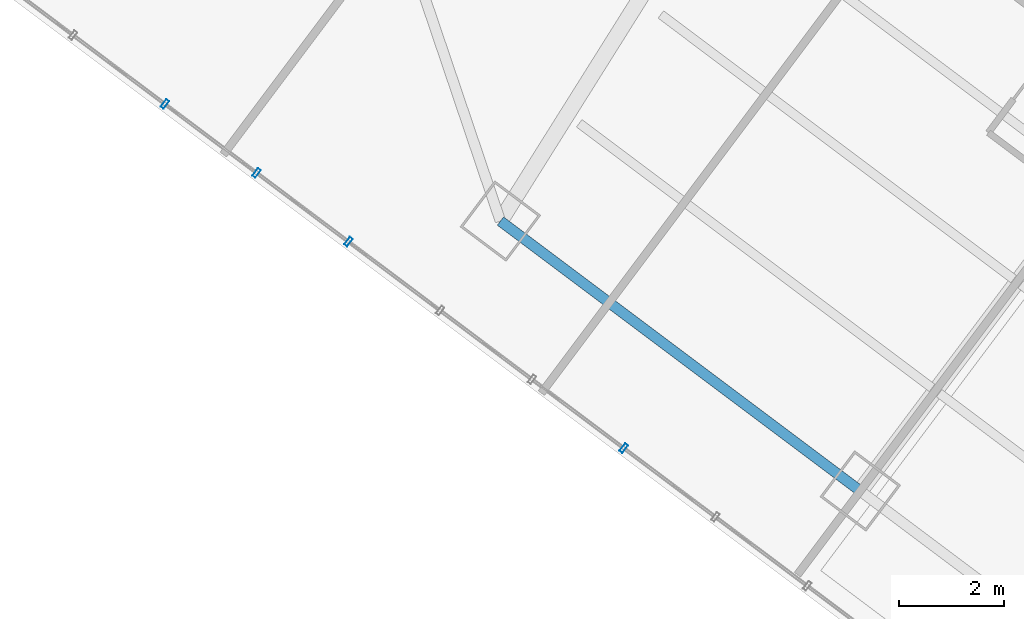
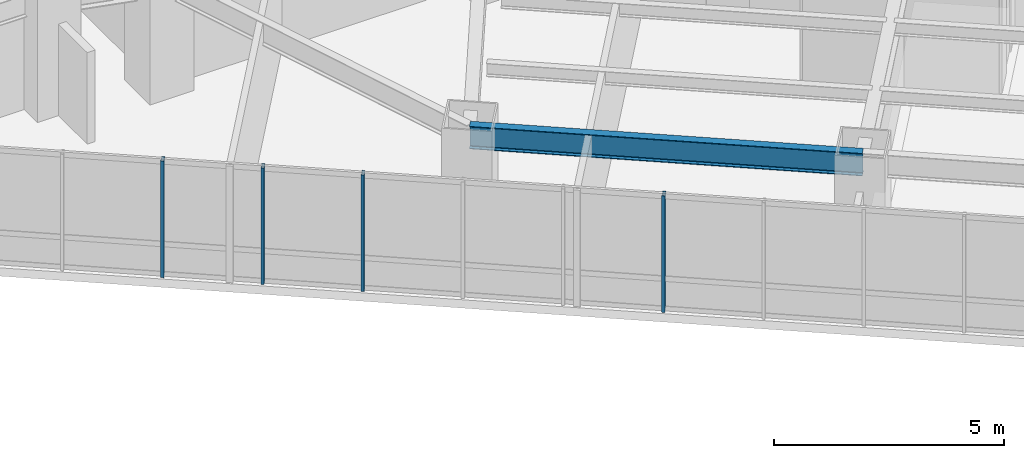
# One storey, part 11 of 39: 4 members, 1 beam, 1 element without a shape of its own.
"""IFC4 building model written with IfcOpenShell, lengths in metres."""

import ifcopenshell
import ifcopenshell.guid

model = None  # the IFC model being written
_history = None  # IfcOwnerHistory: only IFC2X3 demands one
_inside = {}  # id of a spatial element -> (the spatial element, [elements in it])
_under = {}  # id of a project, library or spatial element -> (it, [spatial elements below it])
_declared = {}  # id of a project -> (the project, [libraries it declares])
_typed = {}  # id of a type object -> (the type object, [elements of that type])
_made_of = {}  # id of a material, layer set ... -> (it, [elements and type objects made of it])


def new_model(schema):
    """Start an empty IFC model of exactly this schema.

    Asked for "IFC4X3", IfcOpenShell would pick the latest addendum, in which some entities
    have other attributes; the version numbers below select the first issue.
    IFC2X3 requires an IfcOwnerHistory on every rooted entity: one is made here for all.
    """
    global model, _history
    if schema == "IFC4X3":
        model = ifcopenshell.file(schema_version=(4, 3, 0, 0))
    else:
        model = ifcopenshell.file(schema=schema)
    _inside.clear()
    _under.clear()
    _declared.clear()
    _typed.clear()
    _made_of.clear()
    _history = None
    if model.schema == "IFC2X3":
        org = make("IfcOrganization", Name="unknown")
        user = make(
            "IfcPersonAndOrganization",
            ThePerson=make("IfcPerson", FamilyName="unknown"),
            TheOrganization=org,
        )
        app = make(
            "IfcApplication",
            ApplicationDeveloper=org,
            Version="unknown",
            ApplicationFullName="unknown",
            ApplicationIdentifier="unknown",
        )
        _history = make(
            "IfcOwnerHistory",
            OwningUser=user,
            OwningApplication=app,
            ChangeAction="ADDED",
            CreationDate=0,
        )
    return model


def make(cls, **values):
    """One entity of the class cls with the attributes given. An attribute that is None is left unset."""
    return model.create_entity(
        cls, **{name: value for name, value in values.items() if value is not None}
    )


def rooted(cls, **values):
    """An entity with a GlobalId (a new one), such as an element, a storey or a relation."""
    return make(cls, GlobalId=ifcopenshell.guid.new(), OwnerHistory=_history, **values)


def si_unit(unit_type, name, prefix=None):
    """IfcSIUnit, for example si_unit("LENGTHUNIT", "METRE", prefix="MILLI")."""
    return make("IfcSIUnit", UnitType=unit_type, Prefix=prefix, Name=name)


def assignment(units):
    """IfcUnitAssignment: the units of a project."""
    return None if units is None else make("IfcUnitAssignment", Units=units)


def point(xyz):
    """IfcCartesianPoint."""
    return None if xyz is None else make("IfcCartesianPoint", Coordinates=xyz)


def direction(xyz):
    """IfcDirection."""
    return None if xyz is None else make("IfcDirection", DirectionRatios=xyz)


def frame(location, z_axis=None, x_axis=None):
    """IfcAxis2Placement3D, a coordinate frame: its origin and axes. An axis left out is left unset."""
    return make(
        "IfcAxis2Placement3D",
        Location=point(location),
        Axis=direction(z_axis),
        RefDirection=direction(x_axis),
    )


def frame_2d(location, x_axis=None):
    """IfcAxis2Placement2D, a coordinate frame in the plane: its origin and x axis."""
    return make(
        "IfcAxis2Placement2D", Location=point(location), RefDirection=direction(x_axis)
    )


def origin():
    """The frame at (0, 0, 0) with its axes left unset."""
    return frame((0.0, 0.0, 0.0))


def origin_2d():
    """The frame at (0, 0) in the plane with its x axis left unset."""
    return frame_2d((0.0, 0.0))


def place(relative_to, where):
    """IfcLocalPlacement: puts the frame where relative to a parent placement (None: the world)."""
    return make(
        "IfcLocalPlacement", PlacementRelTo=relative_to, RelativePlacement=where
    )


def context(
    kind, dimensions, precision=None, world=None, true_north=None, identifier=None
):
    """IfcGeometricRepresentationContext, for example the 3D "Model" context."""
    return make(
        "IfcGeometricRepresentationContext",
        ContextIdentifier=identifier,
        ContextType=kind,
        CoordinateSpaceDimension=dimensions,
        Precision=precision,
        WorldCoordinateSystem=world,
        TrueNorth=true_north,
    )


def subcontext(parent, identifier, kind, view, scale=None):
    """IfcGeometricRepresentationSubContext, for example "Body" below "Model"."""
    return make(
        "IfcGeometricRepresentationSubContext",
        ContextIdentifier=identifier,
        ContextType=kind,
        ParentContext=parent,
        TargetScale=scale,
        TargetView=view,
    )


def project(units=None, contexts=None):
    """IfcProject with its units and contexts."""
    return rooted(
        "IfcProject",
        Name="project",
        RepresentationContexts=contexts,
        UnitsInContext=assignment(units),
    )


def spatial(cls, under=None, at=None, **own):
    """A site, building, storey or space (cls), placed at a placement, below another one or the project."""
    s = rooted(cls, ObjectPlacement=at, **own)
    if under is not None:
        _under.setdefault(under.id(), (under, []))[1].append(s)
    return s


def profile(cls, at=None, kind="AREA", **sizes):
    """A parametric profile (cls). Its sizes go by their IFC names, for example OverallWidth=200.0."""
    return make(cls, ProfileType=kind, Position=at, **sizes)


def hollow_rectangle(**sizes):
    """IfcRectangleHollowProfileDef."""
    return profile("IfcRectangleHollowProfileDef", **sizes)


def i_section(**sizes):
    """IfcIShapeProfileDef."""
    return profile("IfcIShapeProfileDef", **sizes)


def extrude(swept, where, along, depth):
    """IfcExtrudedAreaSolid: the profile swept, set in the frame where, extruded along a direction by depth."""
    return make(
        "IfcExtrudedAreaSolid",
        SweptArea=swept,
        Position=where,
        ExtrudedDirection=direction(along),
        Depth=depth,
    )


def shape(context_of_items, identifier, shape_type, items):
    """IfcShapeRepresentation: the items that make up one representation, for example the "Body"."""
    return make(
        "IfcShapeRepresentation",
        ContextOfItems=context_of_items,
        RepresentationIdentifier=identifier,
        RepresentationType=shape_type,
        Items=items,
    )


def material(Name=None, Category=None):
    """IfcMaterial."""
    return make("IfcMaterial", Name=Name, Category=Category)


def layer(
    of_material, thickness, ventilated=None, Name=None, Category=None, Priority=None
):
    """IfcMaterialLayer: one layer of a wall or slab, of a material (None: an air gap)."""
    return make(
        "IfcMaterialLayer",
        Material=of_material,
        LayerThickness=thickness,
        IsVentilated=ventilated,
        Name=Name,
        Category=Category,
        Priority=Priority,
    )


def layer_set(layers, Name=None):
    """IfcMaterialLayerSet."""
    return make("IfcMaterialLayerSet", MaterialLayers=layers, LayerSetName=Name)


def material_profile(
    of_material, cross_section, Name=None, Category=None, Priority=None
):
    """IfcMaterialProfile: a cross section and its material."""
    return make(
        "IfcMaterialProfile",
        Name=Name,
        Material=of_material,
        Profile=cross_section,
        Priority=Priority,
        Category=Category,
    )


def profile_set(profiles, Name=None, composite=None):
    """IfcMaterialProfileSet."""
    return make(
        "IfcMaterialProfileSet",
        Name=Name,
        MaterialProfiles=profiles,
        CompositeProfile=composite,
    )


def made_of(thing, what):
    """Note that an element or type object is made of a material, layer set ...; save() writes the relation."""
    if what is not None:
        _made_of.setdefault(what.id(), (what, []))[1].append(thing)
    return thing


def type_object(cls, material=None, **own):
    """A type object (cls), such as IfcWallType, which elements share."""
    return made_of(rooted(cls, **own), material)


def element(
    cls,
    number,
    at=None,
    inside=None,
    cuts=None,
    type_object=None,
    material=None,
    context=None,
    identifier="Body",
    shape_type=None,
    held_by="IfcProductDefinitionShape",
    body=None,
    shapes=None,
    **own,
):
    """One element of the class cls, such as IfcWall. Its Tag is "e" and its number.

    at: its placement. inside: the storey or other place that contains it. cuts: it is an
    opening in that element (IfcRelVoidsElement). A single representation is given by context,
    identifier, shape_type and body (its items); several are given by shapes. held_by: the class
    of the entity that holds the representations. save() writes the other relations.
    """
    e = rooted(cls, Tag="e%d" % number, ObjectPlacement=at, **own)
    if body is not None:
        shapes = [shape(context, identifier, shape_type, body)]
    if shapes is not None:
        e.Representation = make(held_by, Representations=shapes)
    if inside is not None:
        _inside.setdefault(inside.id(), (inside, []))[1].append(e)
    if cuts is not None:
        rooted(
            "IfcRelVoidsElement", RelatingBuildingElement=cuts, RelatedOpeningElement=e
        )
    if type_object is not None:
        _typed.setdefault(type_object.id(), (type_object, []))[1].append(e)
    return made_of(e, material)


def aggregate(whole, parts):
    """IfcRelAggregates: a whole, such as a stair, and the parts it consists of."""
    return rooted("IfcRelAggregates", RelatingObject=whole, RelatedObjects=parts)


def save(model, path):
    """Write the relations noted so far, then the file.

    IfcRelAggregates (storeys below a building ...), IfcRelContainedInSpatialStructure (elements
    in a storey), IfcRelDefinesByType, IfcRelAssociatesMaterial and IfcRelDeclares: one each for
    every whole, place, type object, material and project.
    """
    for whole, parts in _under.values():
        aggregate(whole, parts)
    for where, things in _inside.values():
        rooted(
            "IfcRelContainedInSpatialStructure",
            RelatedElements=things,
            RelatingStructure=where,
        )
    for kind, things in _typed.values():
        rooted("IfcRelDefinesByType", RelatedObjects=things, RelatingType=kind)
    for what, things in _made_of.values():
        rooted("IfcRelAssociatesMaterial", RelatedObjects=things, RelatingMaterial=what)
    for by, libraries in _declared.values():
        rooted("IfcRelDeclares", RelatingContext=by, RelatedDefinitions=libraries)
    model.write(path)


model = new_model("IFC4")

# Units and contexts
model_context = context("Model", 3, precision=1e-05, world=origin(), true_north=direction((0.0, 1.0)))
body_context = subcontext(model_context, "Body", "Model", "MODEL_VIEW")
ifc_project = project(units=[si_unit("LENGTHUNIT", "METRE"), si_unit("AREAUNIT", "SQUARE_METRE"), si_unit("VOLUMEUNIT", "CUBIC_METRE"), si_unit("PLANEANGLEUNIT", "RADIAN"), si_unit("MASSUNIT", "GRAM", prefix="KILO")], contexts=[model_context])

# Site, building, storey
site_placement = place(None, origin())
site = spatial("IfcSite", under=ifc_project, at=site_placement, CompositionType="ELEMENT")
building_placement = place(site_placement, origin())
building = spatial("IfcBuilding", under=site, at=building_placement, Name="Hatsunagi Terrace Concourse", CompositionType="ELEMENT")
storey_placement = place(building_placement, frame((0.0, 0.0, 66.75)))
storey = spatial("IfcBuildingStorey", under=building, at=storey_placement, Name="L17", CompositionType="ELEMENT", Elevation=66.75)

# Curtain wall, members
ifc_material_1 = material(Name="Anodised Aluminium Alloy 6063-T5", Category="aluminium")
ifc_layer = layer(ifc_material_1, 0.199951171875)
ifc_layer_set = layer_set([ifc_layer], Name="HotelFacade_CW02")
curtain_wall_type = type_object("IfcCurtainWallType", Name="HotelFacade_CW02", PredefinedType="NOTDEFINED", material=ifc_layer_set)
curtain_wall_placement = place(storey_placement, origin())
curtain_wall = element("IfcCurtainWall", 1, at=curtain_wall_placement, inside=storey, type_object=curtain_wall_type, Name="Unitised Curtain Wall CW-02 CW-L17-05", PredefinedType="NOTDEFINED")
ifc_material_2 = material(Name="Anodised Aluminium Alloy 6063-T5", Category="aluminium")
ifc_material_profile_1 = material_profile(ifc_material_2, hollow_rectangle(XDim=0.070068359375, YDim=0.179931640625, WallThickness=0.00390625, at=origin_2d()), Name="ALU-MUL-180x70x4")
ifc_profile_set_1 = profile_set([ifc_material_profile_1], Name="Anodised Aluminium Alloy 6063-T5")
member_type = type_object("IfcMemberType", Name="CurtainWallMullion_180x70", PredefinedType="MULLION", material=ifc_profile_set_1)
member_1_placement = place(storey_placement, frame((41.037109375, 11.697998046875, 0.0), z_axis=(0.0, 0.0, 1.0), x_axis=(-0.800003116929, 0.599995844072, 0.0)))
member_1 = element("IfcMember", 2, at=member_1_placement, type_object=member_type, Name="Curtain Wall Mullion MUL-02", PredefinedType="MULLION", context=body_context, shape_type="SweptSolid", body=[
    extrude(hollow_rectangle(XDim=0.070068359375, YDim=0.179931640625, WallThickness=0.00390625, at=origin_2d()), origin(), (0.0, 0.0, 1.0), 3.090087890625),
])
member_2_placement = place(storey_placement, frame((35.77392578125, 15.64501953125, 0.0), z_axis=(0.0, 0.0, 1.0), x_axis=(-0.800003116929, 0.599995844072, 0.0)))
member_2 = element("IfcMember", 3, at=member_2_placement, type_object=member_type, Name="Curtain Wall Mullion MUL-02", PredefinedType="MULLION", context=body_context, shape_type="SweptSolid", body=[
    extrude(hollow_rectangle(XDim=0.070068359375, YDim=0.179931640625, WallThickness=0.00390625, at=origin_2d()), origin(), (0.0, 0.0, 1.0), 3.090087890625),
])
member_3_placement = place(storey_placement, frame((34.01904296875, 16.9609375, 0.0), z_axis=(0.0, 0.0, 1.0), x_axis=(-0.800003116929, 0.599995844072, 0.0)))
member_3 = element("IfcMember", 4, at=member_3_placement, type_object=member_type, Name="Curtain Wall Mullion MUL-02", PredefinedType="MULLION", context=body_context, shape_type="SweptSolid", body=[
    extrude(hollow_rectangle(XDim=0.070068359375, YDim=0.179931640625, WallThickness=0.00390625, at=origin_2d()), origin(), (0.0, 0.0, 1.0), 3.090087890625),
])
member_4_placement = place(storey_placement, frame((32.264892578125, 18.277099609375, 0.0), z_axis=(0.0, 0.0, 1.0), x_axis=(-0.800003116929, 0.599995844072, 0.0)))
member_4 = element("IfcMember", 5, at=member_4_placement, type_object=member_type, Name="Curtain Wall Mullion MUL-02", PredefinedType="MULLION", context=body_context, shape_type="SweptSolid", body=[
    extrude(hollow_rectangle(XDim=0.070068359375, YDim=0.179931640625, WallThickness=0.00390625, at=origin_2d()), origin(), (0.0, 0.0, 1.0), 3.090087890625),
])
aggregate(curtain_wall, [member_1, member_2, member_3, member_4])

# Beam
ifc_material_3 = material(Name="Steel SN490B", Category="steel")
ifc_material_profile_2 = material_profile(ifc_material_3, i_section(OverallWidth=0.199951171875, OverallDepth=0.60009765625, WebThickness=0.010986328125, FlangeThickness=0.01708984375, FilletRadius=0.01806640625, at=origin_2d()), Name="H-600x200x11x17")
ifc_profile_set_2 = profile_set([ifc_material_profile_2], Name="Steel SN490B")
beam_type = type_object("IfcBeamType", Name="PerimeterSpandrel_H_600x200", PredefinedType="SPANDREL", material=ifc_profile_set_2)
beam_placement = place(storey_placement, frame((38.679931640625, 16.0400390625, 2.830078125), z_axis=(0.799996593451, -0.600004542038, 0.0), x_axis=(0.600004542038, 0.799996593451, 0.0)))
element("IfcBeam", 6, at=beam_placement, inside=storey, type_object=beam_type, Name="Beam SP-01 BM-L17-SE-SW2", PredefinedType="SPANDREL", context=body_context, shape_type="SweptSolid", body=[
    extrude(i_section(OverallWidth=0.199951171875, OverallDepth=0.60009765625, WebThickness=0.010986328125, FlangeThickness=0.01708984375, FilletRadius=0.01806640625, at=origin_2d()), origin(), (0.0, 0.0, 1.0), 8.60009765625),
])

save(model, "model.ifc")
